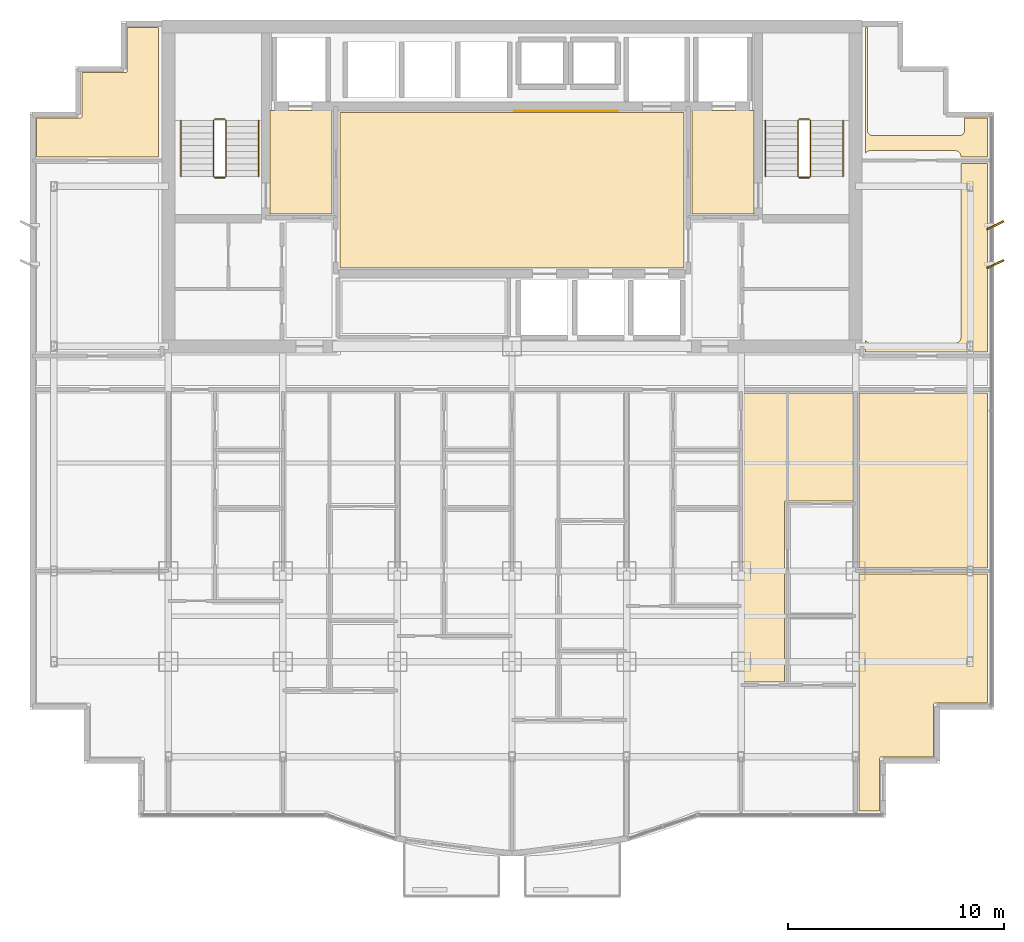
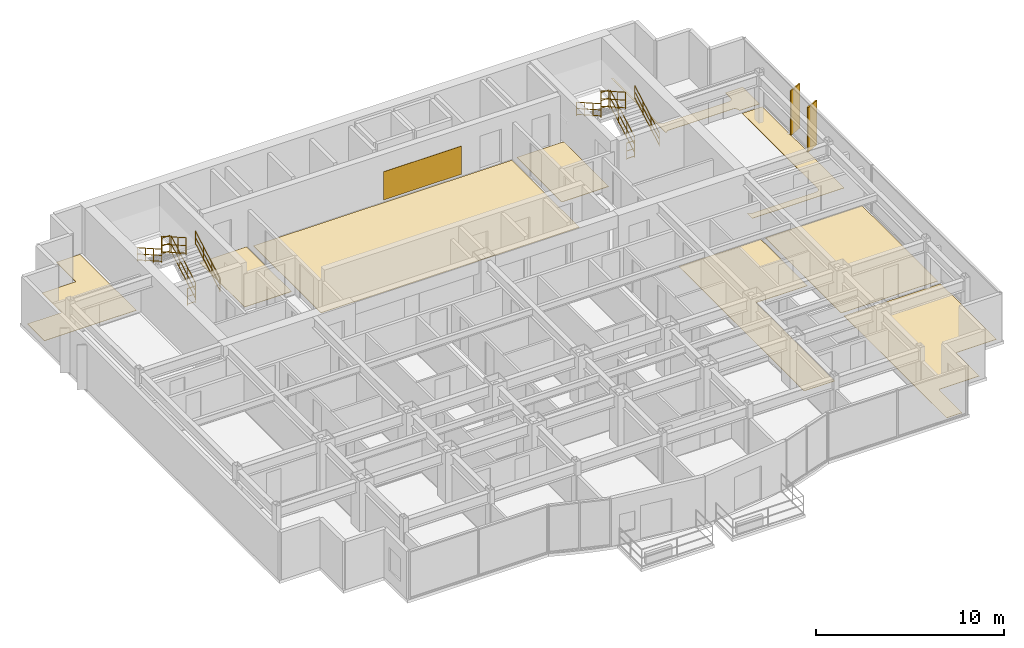
# One storey, part 13 of 13: 12 railings, 10 coverings, 2 shading devices.
"""IFC4 building model written with IfcOpenShell, lengths in metres."""

from ifc_helpers import new_model, si_unit, direction, frame, origin, origin_2d, place, context, subcontext, project, spatial, polyline, rectangle, circle, outline, extrude, source, transform, mapped, material, layer, layer_set, type_object, element, save


model = new_model("IFC4")

# Units and contexts
model_context = context("Model", 3, precision=1e-05, world=origin(), true_north=direction((0.0, 1.0)))
body_context = subcontext(model_context, "Body", "Model", "MODEL_VIEW")
ifc_project = project(units=[si_unit("LENGTHUNIT", "METRE"), si_unit("AREAUNIT", "SQUARE_METRE"), si_unit("VOLUMEUNIT", "CUBIC_METRE"), si_unit("PLANEANGLEUNIT", "RADIAN"), si_unit("MASSUNIT", "GRAM", prefix="KILO")], contexts=[model_context])

# Site, building, storey
site_placement = place(None, origin())
site = spatial("IfcSite", under=ifc_project, at=site_placement, CompositionType="ELEMENT")
building_placement = place(site_placement, origin())
building = spatial("IfcBuilding", under=site, at=building_placement, Name="Qianlan Lanfeng Residences", CompositionType="ELEMENT")
storey_placement = place(building_placement, frame((0.0, 0.0, 159.0)))
storey = spatial("IfcBuildingStorey", under=building, at=storey_placement, Name="L43", CompositionType="ELEMENT", Elevation=159.0)

# Coverings
ifc_material_1 = material(Name="Anodised Bronze Feature Wall Cladding")
ifc_layer_1 = layer(ifc_material_1, 0.02490234375)
ifc_layer_set_1 = layer_set([ifc_layer_1], Name="Anodised Bronze Feature Wall Cladding")
covering_type_1 = type_object("IfcCoveringType", Name="CLD-BRZ-25", PredefinedType="CLADDING", material=ifc_layer_set_1)
covering_1_placement = place(storey_placement, frame((0.0, 0.0, 0.14990234375)))
element("IfcCovering", 1, at=covering_1_placement, inside=storey, type_object=covering_type_1, Name="L43 Lift Lobby Bronze Feature Cladding", PredefinedType="CLADDING", context=body_context, shape_type="SweptSolid", body=[
    extrude(outline(polyline([(26.60009765625, 36.074951171875), (31.39990234375, 36.074951171875), (31.39990234375, 36.10009765625), (26.60009765625, 36.10009765625), (26.60009765625, 36.074951171875)])), origin(), (0.0, 0.0, 1.0), 1.830078125),
])
ifc_material_2 = material(Name="Honed Taitung Granite Stone Flooring", Category="masonry")
ifc_layer_2 = layer(ifc_material_2, 0.030029296875)
ifc_layer_set_2 = layer_set([ifc_layer_2], Name="Honed Taitung Granite Stone Flooring")
covering_type_2 = type_object("IfcCoveringType", Name="FLR-STN-30", PredefinedType="FLOORING", material=ifc_layer_set_2)
covering_2_placement = place(storey_placement, origin())
element("IfcCovering", 2, at=covering_2_placement, inside=storey, type_object=covering_type_2, Name="L43 Firefighting Lift Lobby Floor Finish", PredefinedType="FLOORING", context=body_context, shape_type="SweptSolid", body=[
    extrude(outline(polyline([(15.2900390625, 31.320068359375), (18.179931640625, 31.320068359375), (18.179931640625, 36.110107421875), (15.2900390625, 36.110107421875), (15.2900390625, 31.320068359375)])), origin(), (0.0, 0.0, 1.0), 0.030029296875),
])
covering_3_placement = place(storey_placement, origin())
element("IfcCovering", 3, at=covering_3_placement, inside=storey, type_object=covering_type_2, Name="L43 Firefighting Lift Lobby Floor Finish", PredefinedType="FLOORING", context=body_context, shape_type="SweptSolid", body=[
    extrude(outline(polyline([(34.820068359375, 31.320068359375), (37.7099609375, 31.320068359375), (37.7099609375, 36.110107421875), (34.820068359375, 36.110107421875), (34.820068359375, 31.320068359375)])), origin(), (0.0, 0.0, 1.0), 0.030029296875),
])
covering_4_placement = place(storey_placement, origin())
element("IfcCovering", 4, at=covering_4_placement, inside=storey, type_object=covering_type_2, Name="L43 Lift Lobby Floor Finish", PredefinedType="FLOORING", context=body_context, shape_type="SweptSolid", body=[
    extrude(outline(polyline([(18.550048828125, 28.820068359375), (34.449951171875, 28.820068359375), (34.449951171875, 36.010009765625), (18.550048828125, 36.010009765625), (18.550048828125, 28.820068359375)])), origin(), (0.0, 0.0, 1.0), 0.030029296875),
])
ifc_material_3 = material(Name="Engineered Smoked Oak Timber Flooring", Category="wood")
ifc_layer_3 = layer(ifc_material_3, 0.02197265625)
ifc_layer_set_3 = layer_set([ifc_layer_3], Name="Engineered Smoked Oak Timber Flooring")
covering_type_3 = type_object("IfcCoveringType", Name="FLR-TIM-22", PredefinedType="FLOORING", material=ifc_layer_set_3)
covering_5_placement = place(storey_placement, origin())
element("IfcCovering", 5, at=covering_5_placement, inside=storey, type_object=covering_type_3, Name="L43 Villa Family Sitting Room Floor Finish", PredefinedType="FLOORING", context=body_context, shape_type="SweptSolid", body=[
    extrude(outline(polyline([(37.22998046875, 9.659912109375), (39.110107421875, 9.659912109375), (39.110107421875, 17.97998046875), (39.110107421875, 17.987060546875), (39.111083984375, 17.993896484375), (39.113037109375, 18.0), (39.114990234375, 18.007080078125), (39.117919921875, 18.012939453125), (39.1220703125, 18.01904296875), (39.1259765625, 18.02392578125), (39.131103515625, 18.029052734375), (39.135986328125, 18.033935546875), (39.14111328125, 18.0380859375), (39.14697265625, 18.0419921875), (39.153076171875, 18.044921875), (39.159912109375, 18.047119140625), (39.166015625, 18.049072265625), (39.173095703125, 18.050048828125), (39.179931640625, 18.050048828125), (42.27001953125, 18.050048828125), (42.27001953125, 23.030029296875), (37.22998046875, 23.030029296875), (37.22998046875, 9.659912109375)])), origin(), (0.0, 0.0, 1.0), 0.02197265625),
])
covering_6_placement = place(storey_placement, origin())
element("IfcCovering", 6, at=covering_6_placement, inside=storey, type_object=covering_type_3, Name="L43 Sunroom Floor Finish", PredefinedType="FLOORING", context=body_context, shape_type="SweptSolid", body=[
    extrude(outline(polyline([(48.510009765625, 14.64990234375), (42.56005859375, 14.64990234375), (42.56005859375, 3.68994140625), (43.510009765625, 3.68994140625), (43.510009765625, 6.1201171875), (43.510009765625, 6.126953125), (43.510986328125, 6.134033203125), (43.512939453125, 6.139892578125), (43.514892578125, 6.14697265625), (43.51806640625, 6.153076171875), (43.52197265625, 6.158935546875), (43.52587890625, 6.1640625), (43.531005859375, 6.1689453125), (43.535888671875, 6.174072265625), (43.541015625, 6.177978515625), (43.547119140625, 6.181884765625), (43.552978515625, 6.18505859375), (43.56005859375, 6.18701171875), (43.56591796875, 6.18896484375), (43.572998046875, 6.18994140625), (43.580078125, 6.18994140625), (46.010009765625, 6.18994140625), (46.010009765625, 8.6201171875), (46.010009765625, 8.626953125), (46.010986328125, 8.634033203125), (46.012939453125, 8.639892578125), (46.014892578125, 8.64697265625), (46.01806640625, 8.653076171875), (46.02197265625, 8.658935546875), (46.02587890625, 8.6640625), (46.031005859375, 8.6689453125), (46.035888671875, 8.674072265625), (46.041015625, 8.677978515625), (46.047119140625, 8.681884765625), (46.052978515625, 8.68505859375), (46.06005859375, 8.68701171875), (46.06591796875, 8.68896484375), (46.072998046875, 8.68994140625), (46.080078125, 8.68994140625), (48.510009765625, 8.68994140625), (48.510009765625, 14.64990234375)])), origin(), (0.0, 0.0, 1.0), 0.02197265625),
])
covering_7_placement = place(storey_placement, origin())
element("IfcCovering", 7, at=covering_7_placement, inside=storey, type_object=covering_type_3, Name="L43 Private Study Floor Finish", PredefinedType="FLOORING", context=body_context, shape_type="SweptSolid", body=[
    extrude(outline(polyline([(48.510009765625, 23.030029296875), (42.56005859375, 23.030029296875), (42.56005859375, 14.949951171875), (48.510009765625, 14.949951171875), (48.510009765625, 23.030029296875)])), origin(), (0.0, 0.0, 1.0), 0.02197265625),
])
covering_8_placement = place(storey_placement, origin())
element("IfcCovering", 8, at=covering_8_placement, inside=storey, type_object=covering_type_3, Name="L43 Resident Lounge Floor Finish", PredefinedType="FLOORING", context=body_context, shape_type="SweptSolid", body=[
    extrude(outline(polyline([(4.489990234375, 33.949951171875), (10.14990234375, 33.949951171875), (10.14990234375, 39.9599609375), (8.68994140625, 39.9599609375), (8.68994140625, 37.929931640625), (8.68994140625, 37.923095703125), (8.68896484375, 37.916015625), (8.68701171875, 37.909912109375), (8.68505859375, 37.903076171875), (8.681884765625, 37.89697265625), (8.677978515625, 37.89111328125), (8.674072265625, 37.885986328125), (8.6689453125, 37.881103515625), (8.6640625, 37.8759765625), (8.658935546875, 37.8720703125), (8.653076171875, 37.867919921875), (8.64697265625, 37.864990234375), (8.639892578125, 37.863037109375), (8.634033203125, 37.861083984375), (8.626953125, 37.860107421875), (8.6201171875, 37.860107421875), (6.590087890625, 37.860107421875), (6.590087890625, 35.830078125), (6.590087890625, 35.822998046875), (6.589111328125, 35.81591796875), (6.5869140625, 35.81005859375), (6.5849609375, 35.802978515625), (6.58203125, 35.797119140625), (6.577880859375, 35.791015625), (6.573974609375, 35.785888671875), (6.569091796875, 35.781005859375), (6.56396484375, 35.77587890625), (6.55908203125, 35.77197265625), (6.552978515625, 35.76806640625), (6.547119140625, 35.764892578125), (6.5400390625, 35.762939453125), (6.533935546875, 35.760986328125), (6.527099609375, 35.760009765625), (6.52001953125, 35.760009765625), (4.489990234375, 35.760009765625), (4.489990234375, 33.949951171875)])), origin(), (0.0, 0.0, 1.0), 0.02197265625),
])
covering_9_placement = place(storey_placement, origin())
element("IfcCovering", 9, at=covering_9_placement, inside=storey, type_object=covering_type_3, Name="L43 Gallery Salon Floor Finish", PredefinedType="FLOORING", context=body_context, shape_type="SweptSolid", body=[
    extrude(outline(polyline([(48.510009765625, 33.64990234375), (47.27001953125, 33.64990234375), (47.27001953125, 25.60009765625), (47.26904296875, 25.574951171875), (47.264892578125, 25.551025390625), (47.259033203125, 25.527099609375), (47.2509765625, 25.50390625), (47.239990234375, 25.48193359375), (47.22802734375, 25.4609375), (47.212890625, 25.44091796875), (47.197021484375, 25.423095703125), (47.178955078125, 25.406982421875), (47.158935546875, 25.39208984375), (47.137939453125, 25.3798828125), (47.115966796875, 25.368896484375), (47.093017578125, 25.361083984375), (47.069091796875, 25.35498046875), (47.044921875, 25.35107421875), (47.02001953125, 25.35009765625), (43.080078125, 25.35009765625), (43.054931640625, 25.35107421875), (43.031005859375, 25.35498046875), (43.007080078125, 25.361083984375), (42.98388671875, 25.368896484375), (42.9619140625, 25.3798828125), (42.94091796875, 25.39208984375), (42.9208984375, 25.406982421875), (42.903076171875, 25.423095703125), (42.886962890625, 25.44091796875), (42.8720703125, 25.4609375), (42.860107421875, 25.48193359375), (42.85009765625, 25.501953125), (42.85009765625, 24.929931640625), (48.510009765625, 24.929931640625), (48.510009765625, 33.64990234375)])), origin(), (0.0, 0.0, 1.0), 0.02197265625),
])
covering_10_placement = place(storey_placement, origin())
element("IfcCovering", 10, at=covering_10_placement, inside=storey, type_object=covering_type_3, Name="L43 Resident Lounge Floor Finish", PredefinedType="FLOORING", context=body_context, shape_type="SweptSolid", body=[
    extrude(outline(polyline([(42.85009765625, 34.097900390625), (42.860107421875, 34.117919921875), (42.8720703125, 34.138916015625), (42.886962890625, 34.158935546875), (42.903076171875, 34.177001953125), (42.9208984375, 34.193115234375), (42.94091796875, 34.2080078125), (42.9619140625, 34.219970703125), (42.98388671875, 34.23095703125), (43.007080078125, 34.239013671875), (43.031005859375, 34.2451171875), (43.054931640625, 34.2490234375), (43.080078125, 34.25), (47.02001953125, 34.25), (47.044921875, 34.2490234375), (47.069091796875, 34.2451171875), (47.093017578125, 34.239013671875), (47.115966796875, 34.23095703125), (47.137939453125, 34.219970703125), (47.158935546875, 34.2080078125), (47.178955078125, 34.193115234375), (47.197021484375, 34.177001953125), (47.212890625, 34.158935546875), (47.22802734375, 34.138916015625), (47.239990234375, 34.117919921875), (47.2509765625, 34.095947265625), (47.259033203125, 34.072998046875), (47.264892578125, 34.049072265625), (47.26904296875, 34.02490234375), (47.27001953125, 34.0), (47.27001953125, 33.949951171875), (48.510009765625, 33.949951171875), (48.510009765625, 35.760009765625), (47.449951171875, 35.760009765625), (47.449951171875, 35.199951171875), (47.448974609375, 35.175048828125), (47.445068359375, 35.15087890625), (47.43896484375, 35.126953125), (47.430908203125, 35.10400390625), (47.419921875, 35.08203125), (47.407958984375, 35.06103515625), (47.39306640625, 35.041015625), (47.376953125, 35.02294921875), (47.35888671875, 35.007080078125), (47.339111328125, 34.991943359375), (47.318115234375, 34.97998046875), (47.2958984375, 34.968994140625), (47.27294921875, 34.9609375), (47.2490234375, 34.955078125), (47.22509765625, 34.950927734375), (47.199951171875, 34.949951171875), (43.199951171875, 34.949951171875), (43.175048828125, 34.950927734375), (43.15087890625, 34.955078125), (43.126953125, 34.9609375), (43.10400390625, 34.968994140625), (43.08203125, 34.97998046875), (43.06103515625, 34.991943359375), (43.041015625, 35.007080078125), (43.02294921875, 35.02294921875), (43.007080078125, 35.041015625), (42.991943359375, 35.06103515625), (42.97998046875, 35.08203125), (42.968994140625, 35.10400390625), (42.9609375, 35.126953125), (42.955078125, 35.15087890625), (42.950927734375, 35.175048828125), (42.949951171875, 35.199951171875), (42.949951171875, 39.9599609375), (42.85009765625, 39.9599609375), (42.85009765625, 34.097900390625)])), origin(), (0.0, 0.0, 1.0), 0.02197265625),
])

# Railings
ifc_material_4 = material(Name="Painted Galvanised Steel Guardrail", Category="steel")
railing_type_1 = type_object("IfcRailingType", Name="GR-ST-1120", PredefinedType="GUARDRAIL", material=ifc_material_4)
railing_1_placement = place(storey_placement, frame((13.27001953125, 33.050048828125, 0.1650390625)))
element("IfcRailing", 11, at=railing_1_placement, inside=storey, type_object=railing_type_1, Name="L43 ST-1 stair guard 1", PredefinedType="GUARDRAIL", context=body_context, shape_type="SweptSolid", body=[
    extrude(circle(Radius=0.02392578125, at=origin_2d()), frame((0.0, 0.0, 0.083984375), z_axis=(0.0, 0.869172267526, 0.494509422927), x_axis=(-1.0, 0.0, 0.0)), (0.0, 0.0, 1.0), 3.002685546875),
    extrude(circle(Radius=0.02392578125, at=origin_2d()), frame((0.0, 0.0, 0.58251953125), z_axis=(0.0, 0.869172267526, 0.494509422927), x_axis=(-1.0, 0.0, 0.0)), (0.0, 0.0, 1.0), 3.002685546875),
    extrude(circle(Radius=0.02392578125, at=origin_2d()), frame((0.0, 0.0, 1.09619140625), z_axis=(0.0, 0.869172267526, 0.494509422927), x_axis=(-1.0, 0.0, 0.0)), (0.0, 0.0, 1.0), 3.002685546875),
    extrude(circle(Radius=0.02099609375, at=origin_2d()), origin(), (0.0, 0.0, 1.0), 1.072021484375),
    extrude(circle(Radius=0.02099609375, at=origin_2d()), frame((0.0, 0.869873046875, 0.494873046875)), (0.0, 0.0, 1.0), 1.072021484375),
    extrude(circle(Radius=0.02099609375, at=origin_2d()), frame((0.0, 1.739990234375, 0.989990234375)), (0.0, 0.0, 1.0), 1.072021484375),
    extrude(circle(Radius=0.02099609375, at=origin_2d()), frame((0.0, 2.60986328125, 1.48486328125)), (0.0, 0.0, 1.0), 1.072021484375),
])
railing_2_placement = place(storey_placement, frame((13.219970703125, 35.7099609375, 1.64990234375)))
element("IfcRailing", 12, at=railing_2_placement, inside=storey, type_object=railing_type_1, Name="L43 ST-1 stair guard 2", PredefinedType="GUARDRAIL", context=body_context, shape_type="SweptSolid", body=[
    extrude(circle(Radius=0.02392578125, at=origin_2d()), frame((0.0, 0.0, 0.083984375), z_axis=(-1.0, 0.0, 0.0), x_axis=(0.0, -1.0, 0.0)), (0.0, 0.0, 1.0), 0.47998046875),
    extrude(circle(Radius=0.02392578125, at=origin_2d()), frame((0.0, 0.0, 0.58251953125), z_axis=(-1.0, 0.0, 0.0), x_axis=(0.0, -1.0, 0.0)), (0.0, 0.0, 1.0), 0.47998046875),
    extrude(circle(Radius=0.02392578125, at=origin_2d()), frame((0.0, 0.0, 1.09619140625), z_axis=(-1.0, 0.0, 0.0), x_axis=(0.0, -1.0, 0.0)), (0.0, 0.0, 1.0), 0.47998046875),
    extrude(circle(Radius=0.02099609375, at=origin_2d()), origin(), (0.0, 0.0, 1.0), 1.072021484375),
    extrude(circle(Radius=0.02099609375, at=origin_2d()), frame((-0.47998046875, 0.0, 0.0)), (0.0, 0.0, 1.0), 1.072021484375),
])
railing_3_placement = place(storey_placement, frame((12.68994140625, 35.659912109375, 1.81494140625)))
element("IfcRailing", 13, at=railing_3_placement, inside=storey, type_object=railing_type_1, Name="L43 ST-1 stair guard 3", PredefinedType="GUARDRAIL", context=body_context, shape_type="SweptSolid", body=[
    extrude(circle(Radius=0.02392578125, at=origin_2d()), frame((0.0, 0.0, 0.083984375), z_axis=(0.0, -0.869137319866, 0.494570843475), x_axis=(1.0, 0.0, 0.0)), (0.0, 0.0, 1.0), 3.0029296875),
    extrude(circle(Radius=0.02392578125, at=origin_2d()), frame((0.0, 0.0, 0.58251953125), z_axis=(0.0, -0.869137319866, 0.494570843475), x_axis=(1.0, 0.0, 0.0)), (0.0, 0.0, 1.0), 3.0029296875),
    extrude(circle(Radius=0.02392578125, at=origin_2d()), frame((0.0, 0.0, 1.09619140625), z_axis=(0.0, -0.869137319866, 0.494570843475), x_axis=(1.0, 0.0, 0.0)), (0.0, 0.0, 1.0), 3.0029296875),
    extrude(circle(Radius=0.02099609375, at=origin_2d()), origin(), (0.0, 0.0, 1.0), 1.072021484375),
    extrude(circle(Radius=0.02099609375, at=origin_2d()), frame((0.0, -0.869873046875, 0.4951171875)), (0.0, 0.0, 1.0), 1.072021484375),
    extrude(circle(Radius=0.02099609375, at=origin_2d()), frame((0.0, -1.739990234375, 0.989990234375)), (0.0, 0.0, 1.0), 1.072021484375),
    extrude(circle(Radius=0.02099609375, at=origin_2d()), frame((0.0, -2.60986328125, 1.485107421875)), (0.0, 0.0, 1.0), 1.072021484375),
])
railing_4_placement = place(storey_placement, frame((13.219970703125, 33.0, 0.0)))
element("IfcRailing", 14, at=railing_4_placement, inside=storey, type_object=railing_type_1, Name="L43 ST-1 stair guard 4", PredefinedType="GUARDRAIL", context=body_context, shape_type="SweptSolid", body=[
    extrude(circle(Radius=0.02392578125, at=origin_2d()), frame((0.0, 0.0, 0.083984375), z_axis=(-1.0, 0.0, 0.0), x_axis=(0.0, -1.0, 0.0)), (0.0, 0.0, 1.0), 0.47998046875),
    extrude(circle(Radius=0.02392578125, at=origin_2d()), frame((0.0, 0.0, 0.58251953125), z_axis=(-1.0, 0.0, 0.0), x_axis=(0.0, -1.0, 0.0)), (0.0, 0.0, 1.0), 0.47998046875),
    extrude(circle(Radius=0.02392578125, at=origin_2d()), frame((0.0, 0.0, 1.09619140625), z_axis=(-1.0, 0.0, 0.0), x_axis=(0.0, -1.0, 0.0)), (0.0, 0.0, 1.0), 0.47998046875),
    extrude(circle(Radius=0.02099609375, at=origin_2d()), origin(), (0.0, 0.0, 1.0), 1.072021484375),
    extrude(circle(Radius=0.02099609375, at=origin_2d()), frame((-0.47998046875, 0.0, 0.0)), (0.0, 0.0, 1.0), 1.072021484375),
])
railing_5_placement = place(storey_placement, frame((40.31005859375, 33.050048828125, 0.1650390625)))
element("IfcRailing", 15, at=railing_5_placement, inside=storey, type_object=railing_type_1, Name="L43 ST-2 stair guard 1", PredefinedType="GUARDRAIL", context=body_context, shape_type="SweptSolid", body=[
    extrude(circle(Radius=0.02392578125, at=origin_2d()), frame((0.0, 0.0, 0.083984375), z_axis=(0.0, 0.869172267526, 0.494509422927), x_axis=(-1.0, 0.0, 0.0)), (0.0, 0.0, 1.0), 3.002685546875),
    extrude(circle(Radius=0.02392578125, at=origin_2d()), frame((0.0, 0.0, 0.58251953125), z_axis=(0.0, 0.869172267526, 0.494509422927), x_axis=(-1.0, 0.0, 0.0)), (0.0, 0.0, 1.0), 3.002685546875),
    extrude(circle(Radius=0.02392578125, at=origin_2d()), frame((0.0, 0.0, 1.09619140625), z_axis=(0.0, 0.869172267526, 0.494509422927), x_axis=(-1.0, 0.0, 0.0)), (0.0, 0.0, 1.0), 3.002685546875),
    extrude(circle(Radius=0.02099609375, at=origin_2d()), origin(), (0.0, 0.0, 1.0), 1.072021484375),
    extrude(circle(Radius=0.02099609375, at=origin_2d()), frame((0.0, 0.869873046875, 0.494873046875)), (0.0, 0.0, 1.0), 1.072021484375),
    extrude(circle(Radius=0.02099609375, at=origin_2d()), frame((0.0, 1.739990234375, 0.989990234375)), (0.0, 0.0, 1.0), 1.072021484375),
    extrude(circle(Radius=0.02099609375, at=origin_2d()), frame((0.0, 2.60986328125, 1.48486328125)), (0.0, 0.0, 1.0), 1.072021484375),
])
railing_6_placement = place(storey_placement, frame((40.260009765625, 35.7099609375, 1.64990234375)))
element("IfcRailing", 16, at=railing_6_placement, inside=storey, type_object=railing_type_1, Name="L43 ST-2 stair guard 2", PredefinedType="GUARDRAIL", context=body_context, shape_type="SweptSolid", body=[
    extrude(circle(Radius=0.02392578125, at=origin_2d()), frame((0.0, 0.0, 0.083984375), z_axis=(-1.0, 0.0, 0.0), x_axis=(0.0, -1.0, 0.0)), (0.0, 0.0, 1.0), 0.47998046875),
    extrude(circle(Radius=0.02392578125, at=origin_2d()), frame((0.0, 0.0, 0.58251953125), z_axis=(-1.0, 0.0, 0.0), x_axis=(0.0, -1.0, 0.0)), (0.0, 0.0, 1.0), 0.47998046875),
    extrude(circle(Radius=0.02392578125, at=origin_2d()), frame((0.0, 0.0, 1.09619140625), z_axis=(-1.0, 0.0, 0.0), x_axis=(0.0, -1.0, 0.0)), (0.0, 0.0, 1.0), 0.47998046875),
    extrude(circle(Radius=0.02099609375, at=origin_2d()), origin(), (0.0, 0.0, 1.0), 1.072021484375),
    extrude(circle(Radius=0.02099609375, at=origin_2d()), frame((-0.47998046875, 0.0, 0.0)), (0.0, 0.0, 1.0), 1.072021484375),
])
railing_7_placement = place(storey_placement, frame((39.72998046875, 35.659912109375, 1.81494140625)))
element("IfcRailing", 17, at=railing_7_placement, inside=storey, type_object=railing_type_1, Name="L43 ST-2 stair guard 3", PredefinedType="GUARDRAIL", context=body_context, shape_type="SweptSolid", body=[
    extrude(circle(Radius=0.02392578125, at=origin_2d()), frame((0.0, 0.0, 0.083984375), z_axis=(0.0, -0.869137319866, 0.494570843475), x_axis=(1.0, 0.0, 0.0)), (0.0, 0.0, 1.0), 3.0029296875),
    extrude(circle(Radius=0.02392578125, at=origin_2d()), frame((0.0, 0.0, 0.58251953125), z_axis=(0.0, -0.869137319866, 0.494570843475), x_axis=(1.0, 0.0, 0.0)), (0.0, 0.0, 1.0), 3.0029296875),
    extrude(circle(Radius=0.02392578125, at=origin_2d()), frame((0.0, 0.0, 1.09619140625), z_axis=(0.0, -0.869137319866, 0.494570843475), x_axis=(1.0, 0.0, 0.0)), (0.0, 0.0, 1.0), 3.0029296875),
    extrude(circle(Radius=0.02099609375, at=origin_2d()), origin(), (0.0, 0.0, 1.0), 1.072021484375),
    extrude(circle(Radius=0.02099609375, at=origin_2d()), frame((0.0, -0.869873046875, 0.4951171875)), (0.0, 0.0, 1.0), 1.072021484375),
    extrude(circle(Radius=0.02099609375, at=origin_2d()), frame((0.0, -1.739990234375, 0.989990234375)), (0.0, 0.0, 1.0), 1.072021484375),
    extrude(circle(Radius=0.02099609375, at=origin_2d()), frame((0.0, -2.60986328125, 1.485107421875)), (0.0, 0.0, 1.0), 1.072021484375),
])
railing_8_placement = place(storey_placement, frame((40.260009765625, 33.0, 0.0)))
element("IfcRailing", 18, at=railing_8_placement, inside=storey, type_object=railing_type_1, Name="L43 ST-2 stair guard 4", PredefinedType="GUARDRAIL", context=body_context, shape_type="SweptSolid", body=[
    extrude(circle(Radius=0.02392578125, at=origin_2d()), frame((0.0, 0.0, 0.083984375), z_axis=(-1.0, 0.0, 0.0), x_axis=(0.0, -1.0, 0.0)), (0.0, 0.0, 1.0), 0.47998046875),
    extrude(circle(Radius=0.02392578125, at=origin_2d()), frame((0.0, 0.0, 0.58251953125), z_axis=(-1.0, 0.0, 0.0), x_axis=(0.0, -1.0, 0.0)), (0.0, 0.0, 1.0), 0.47998046875),
    extrude(circle(Radius=0.02392578125, at=origin_2d()), frame((0.0, 0.0, 1.09619140625), z_axis=(-1.0, 0.0, 0.0), x_axis=(0.0, -1.0, 0.0)), (0.0, 0.0, 1.0), 0.47998046875),
    extrude(circle(Radius=0.02099609375, at=origin_2d()), origin(), (0.0, 0.0, 1.0), 1.072021484375),
    extrude(circle(Radius=0.02099609375, at=origin_2d()), frame((-0.47998046875, 0.0, 0.0)), (0.0, 0.0, 1.0), 1.072021484375),
])
ifc_material_5 = material(Name="Brushed Stainless Steel Handrail", Category="steel")
railing_type_2 = type_object("IfcRailingType", Name="HR-ST-920", PredefinedType="HANDRAIL", material=ifc_material_5)
railing_9_placement = place(storey_placement, frame((14.77001953125, 33.050048828125, 0.1650390625)))
element("IfcRailing", 19, at=railing_9_placement, inside=storey, type_object=railing_type_2, Name="L43 ST-1 stair handrail 1", PredefinedType="HANDRAIL", context=body_context, shape_type="SweptSolid", body=[
    extrude(circle(Radius=0.02392578125, at=origin_2d()), frame((0.0, 0.0, 0.083984375), z_axis=(0.0, 0.869172267526, 0.494509422927), x_axis=(-1.0, 0.0, 0.0)), (0.0, 0.0, 1.0), 3.002685546875),
    extrude(circle(Radius=0.02392578125, at=origin_2d()), frame((0.0, 0.0, 0.468017578125), z_axis=(0.0, 0.869172267526, 0.494509422927), x_axis=(-1.0, 0.0, 0.0)), (0.0, 0.0, 1.0), 3.002685546875),
    extrude(circle(Radius=0.02392578125, at=origin_2d()), frame((0.0, 0.0, 0.8759765625), z_axis=(0.0, 0.869172267526, 0.494509422927), x_axis=(-1.0, 0.0, 0.0)), (0.0, 0.0, 1.0), 3.002685546875),
    extrude(circle(Radius=0.02099609375, at=origin_2d()), origin(), (0.0, 0.0, 1.0), 0.851806640625),
    extrude(circle(Radius=0.02099609375, at=origin_2d()), frame((0.0, 0.869873046875, 0.494873046875)), (0.0, 0.0, 1.0), 0.851806640625),
    extrude(circle(Radius=0.02099609375, at=origin_2d()), frame((0.0, 1.739990234375, 0.989990234375)), (0.0, 0.0, 1.0), 0.851806640625),
    extrude(circle(Radius=0.02099609375, at=origin_2d()), frame((0.0, 2.60986328125, 1.48486328125)), (0.0, 0.0, 1.0), 0.851806640625),
])
railing_10_placement = place(storey_placement, frame((11.18994140625, 35.659912109375, 1.81494140625)))
element("IfcRailing", 20, at=railing_10_placement, inside=storey, type_object=railing_type_2, Name="L43 ST-1 stair handrail 2", PredefinedType="HANDRAIL", context=body_context, shape_type="SweptSolid", body=[
    extrude(circle(Radius=0.02392578125, at=origin_2d()), frame((0.0, 0.0, 0.083984375), z_axis=(0.0, -0.869137319866, 0.494570843475), x_axis=(1.0, 0.0, 0.0)), (0.0, 0.0, 1.0), 3.0029296875),
    extrude(circle(Radius=0.02392578125, at=origin_2d()), frame((0.0, 0.0, 0.468017578125), z_axis=(0.0, -0.869137319866, 0.494570843475), x_axis=(1.0, 0.0, 0.0)), (0.0, 0.0, 1.0), 3.0029296875),
    extrude(circle(Radius=0.02392578125, at=origin_2d()), frame((0.0, 0.0, 0.8759765625), z_axis=(0.0, -0.869137319866, 0.494570843475), x_axis=(1.0, 0.0, 0.0)), (0.0, 0.0, 1.0), 3.0029296875),
    extrude(circle(Radius=0.02099609375, at=origin_2d()), origin(), (0.0, 0.0, 1.0), 0.851806640625),
    extrude(circle(Radius=0.02099609375, at=origin_2d()), frame((0.0, -0.869873046875, 0.4951171875)), (0.0, 0.0, 1.0), 0.851806640625),
    extrude(circle(Radius=0.02099609375, at=origin_2d()), frame((0.0, -1.739990234375, 0.989990234375)), (0.0, 0.0, 1.0), 0.851806640625),
    extrude(circle(Radius=0.02099609375, at=origin_2d()), frame((0.0, -2.60986328125, 1.485107421875)), (0.0, 0.0, 1.0), 0.851806640625),
])
railing_11_placement = place(storey_placement, frame((41.81005859375, 33.050048828125, 0.1650390625)))
element("IfcRailing", 21, at=railing_11_placement, inside=storey, type_object=railing_type_2, Name="L43 ST-2 stair handrail 1", PredefinedType="HANDRAIL", context=body_context, shape_type="SweptSolid", body=[
    extrude(circle(Radius=0.02392578125, at=origin_2d()), frame((0.0, 0.0, 0.083984375), z_axis=(0.0, 0.869172267526, 0.494509422927), x_axis=(-1.0, 0.0, 0.0)), (0.0, 0.0, 1.0), 3.002685546875),
    extrude(circle(Radius=0.02392578125, at=origin_2d()), frame((0.0, 0.0, 0.468017578125), z_axis=(0.0, 0.869172267526, 0.494509422927), x_axis=(-1.0, 0.0, 0.0)), (0.0, 0.0, 1.0), 3.002685546875),
    extrude(circle(Radius=0.02392578125, at=origin_2d()), frame((0.0, 0.0, 0.8759765625), z_axis=(0.0, 0.869172267526, 0.494509422927), x_axis=(-1.0, 0.0, 0.0)), (0.0, 0.0, 1.0), 3.002685546875),
    extrude(circle(Radius=0.02099609375, at=origin_2d()), origin(), (0.0, 0.0, 1.0), 0.851806640625),
    extrude(circle(Radius=0.02099609375, at=origin_2d()), frame((0.0, 0.869873046875, 0.494873046875)), (0.0, 0.0, 1.0), 0.851806640625),
    extrude(circle(Radius=0.02099609375, at=origin_2d()), frame((0.0, 1.739990234375, 0.989990234375)), (0.0, 0.0, 1.0), 0.851806640625),
    extrude(circle(Radius=0.02099609375, at=origin_2d()), frame((0.0, 2.60986328125, 1.48486328125)), (0.0, 0.0, 1.0), 0.851806640625),
])
railing_12_placement = place(storey_placement, frame((38.22998046875, 35.659912109375, 1.81494140625)))
element("IfcRailing", 22, at=railing_12_placement, inside=storey, type_object=railing_type_2, Name="L43 ST-2 stair handrail 2", PredefinedType="HANDRAIL", context=body_context, shape_type="SweptSolid", body=[
    extrude(circle(Radius=0.02392578125, at=origin_2d()), frame((0.0, 0.0, 0.083984375), z_axis=(0.0, -0.869137319866, 0.494570843475), x_axis=(1.0, 0.0, 0.0)), (0.0, 0.0, 1.0), 3.0029296875),
    extrude(circle(Radius=0.02392578125, at=origin_2d()), frame((0.0, 0.0, 0.468017578125), z_axis=(0.0, -0.869137319866, 0.494570843475), x_axis=(1.0, 0.0, 0.0)), (0.0, 0.0, 1.0), 3.0029296875),
    extrude(circle(Radius=0.02392578125, at=origin_2d()), frame((0.0, 0.0, 0.8759765625), z_axis=(0.0, -0.869137319866, 0.494570843475), x_axis=(1.0, 0.0, 0.0)), (0.0, 0.0, 1.0), 3.0029296875),
    extrude(circle(Radius=0.02099609375, at=origin_2d()), origin(), (0.0, 0.0, 1.0), 0.851806640625),
    extrude(circle(Radius=0.02099609375, at=origin_2d()), frame((0.0, -0.869873046875, 0.4951171875)), (0.0, 0.0, 1.0), 0.851806640625),
    extrude(circle(Radius=0.02099609375, at=origin_2d()), frame((0.0, -1.739990234375, 0.989990234375)), (0.0, 0.0, 1.0), 0.851806640625),
    extrude(circle(Radius=0.02099609375, at=origin_2d()), frame((0.0, -2.60986328125, 1.485107421875)), (0.0, 0.0, 1.0), 0.851806640625),
])

# Shading devices
ifc_material_6 = material(Name="Anodised Bronze Aluminium Solar Fin", Category="aluminium")
shading_device_type = type_object("IfcShadingDeviceType", Name="FIN-BRZ-850", PredefinedType="SHUTTER", material=ifc_material_6)
shared_shape = source(origin(), body_context, "Body", "SweptSolid", [
    extrude(rectangle(XDim=0.85009765625, YDim=0.080078125, at=origin_2d()), origin(), (0.0, 0.0, 1.0), 2.89990234375),
])
for number, where, z_axis, x_axis, name in (
    (23, (48.8701171875, 29.0, 0.0), (0.0, 0.0, 1.0), (0.898794046299, 0.438371146789, 0.0), "L43 Raked Bronze Solar Fin E1"),
    (24, (48.8701171875, 30.800048828125, 0.0), (0.0, 0.0, 1.0), (0.898794046299, 0.438371146789, 0.0), "L43 Raked Bronze Solar Fin E2"),
):
    element("IfcShadingDevice", number, at=place(storey_placement, frame(where, z_axis=z_axis, x_axis=x_axis)), inside=storey, type_object=shading_device_type, Name=name, PredefinedType="SHUTTER", context=body_context, shape_type="MappedRepresentation", body=[
        mapped(shared_shape, transform((0.0, 0.0, 0.0), scale=1.0)),
    ])

save(model, "model.ifc")
